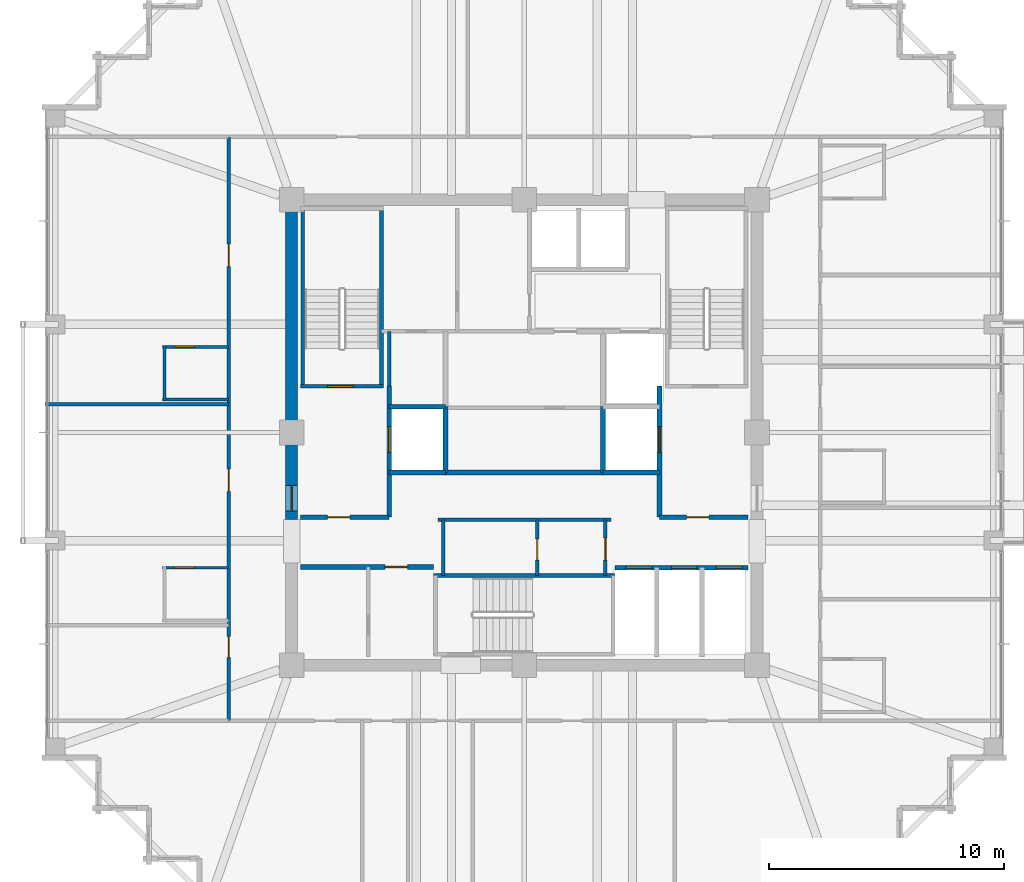
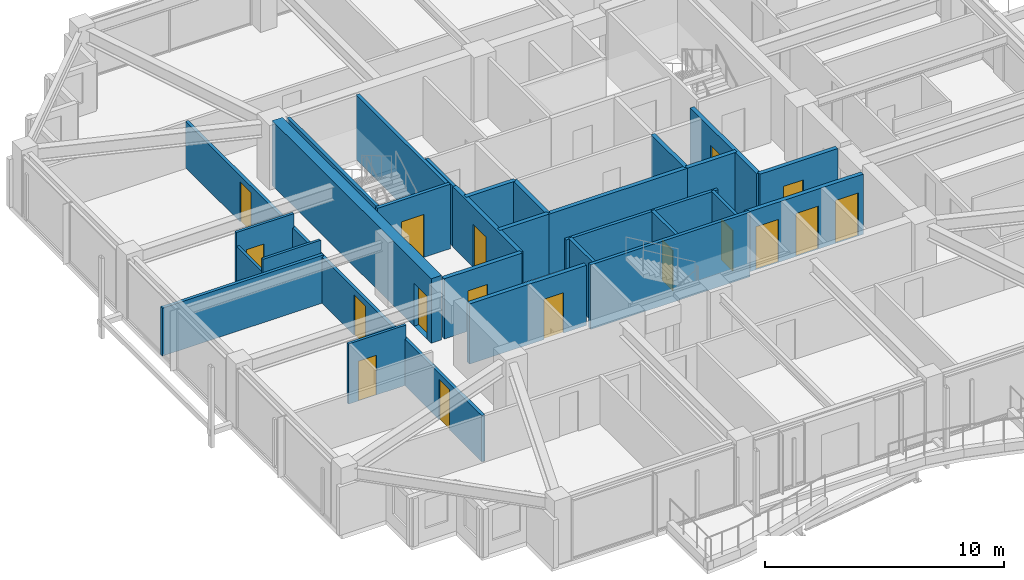
# One storey, part 33 of 38: 28 walls, 17 doors, 17 openings.
"""IFC4 building model written with IfcOpenShell, lengths in metres."""

from ifc_helpers import new_model, si_unit, direction, frame, frame_2d, origin, place, context, subcontext, project, spatial, rectangle, extrude, material, layer, layer_set, type_object, element, fill, save


model = new_model("IFC4")

# Units and contexts
model_context = context("Model", 3, precision=1e-05, world=origin(), true_north=direction((0.0, 1.0)))
body_context = subcontext(model_context, "Body", "Model", "MODEL_VIEW")
ifc_project = project(units=[si_unit("LENGTHUNIT", "METRE"), si_unit("AREAUNIT", "SQUARE_METRE"), si_unit("VOLUMEUNIT", "CUBIC_METRE"), si_unit("PLANEANGLEUNIT", "RADIAN"), si_unit("MASSUNIT", "GRAM", prefix="KILO")], contexts=[model_context])

# Site, building, storey
site_placement = place(None, origin())
site = spatial("IfcSite", under=ifc_project, at=site_placement, CompositionType="ELEMENT")
building_placement = place(site_placement, origin())
building = spatial("IfcBuilding", under=site, at=building_placement, Name="Kolvaren Belvedere", CompositionType="ELEMENT")
storey_placement = place(building_placement, frame((0.0, 0.0, 206.39990234375)))
storey = spatial("IfcBuildingStorey", under=building, at=storey_placement, Name="L60", CompositionType="ELEMENT", Elevation=206.39990234375)

# Wall, opening, door
ifc_material_1 = material(Name="Concrete C50/60", Category="concrete")
ifc_layer_1 = layer(ifc_material_1, 0.5)
ifc_layer_set_1 = layer_set([ifc_layer_1], Name="Concrete C50/60")
wall_type_1 = type_object("IfcWallType", Name="CW-CORE-500", PredefinedType="SHEAR", material=ifc_layer_set_1)
wall_1_placement = place(storey_placement, frame((-9.89990234375, -3.699951171875, 0.0), z_axis=(0.0, 0.0, 1.0), x_axis=(0.0, 1.0, 0.0)))
wall_1 = element("IfcWall", 1, at=wall_1_placement, inside=storey, type_object=wall_type_1, Name="L60 West Core Shear Wall 2", PredefinedType="SHEAR", context=body_context, shape_type="SweptSolid", body=[
    extrude(rectangle(XDim=13.349853515625, YDim=0.5, at=frame_2d((6.6748046875, 0.0))), origin(), (0.0, 0.0, 1.0), 3.300048828125),
])
opening_1_placement = place(wall_1_placement, frame((0.35009765625, 0.0, 0.0)))
opening_1 = element("IfcOpeningElement", 2, at=opening_1_placement, cuts=wall_1, Name="Opening D-FD90", PredefinedType="OPENING", context=body_context, shape_type="SweptSolid", body=[
    extrude(rectangle(XDim=1.10009765625, YDim=2.199951171875, at=frame_2d((0.550048828125, 1.10009765625))), frame((0.0, 0.260009765625, 0.0), z_axis=(0.0, -1.0, 0.0), x_axis=(1.0, 0.0, 0.0)), (0.0, 0.0, 1.0), 0.52001953125),
])
ifc_material_2 = material(Name="Painted hollow stainless steel", Category="steel")
door_type_1 = type_object("IfcDoorType", Name="DR-FD90-1100", OperationType="NOTDEFINED", PredefinedType="DOOR", material=ifc_material_2)
door_1_placement = place(opening_1_placement, origin())
door_1 = element("IfcDoor", 3, at=door_1_placement, inside=storey, type_object=door_type_1, Name="L60 West Firefighting Lobby Fire Door", OperationType="SINGLE_SWING_LEFT", OverallHeight=2.199951171875, OverallWidth=1.10009765625, PredefinedType="DOOR", context=body_context, shape_type="SweptSolid", body=[
    extrude(rectangle(XDim=1.10009765625, YDim=2.199951171875, at=frame_2d((0.550048828125, 1.10009765625))), frame((0.0, 0.02490234375, 0.0), z_axis=(0.0, -1.0, 0.0), x_axis=(1.0, 0.0, 0.0)), (0.0, 0.0, 1.0), 0.050048828125),
])
fill(opening_1, door_1)

ifc_material_3 = material(Name="Concrete C50/60", Category="concrete")
ifc_layer_2 = layer(ifc_material_3, 0.159912109375)
ifc_layer_set_2 = layer_set([ifc_layer_2], Name="Concrete C50/60")
wall_type_2 = type_object("IfcWallType", Name="CW-STAIR-160", PredefinedType="SHEAR", material=ifc_layer_set_2)
wall_2_placement = place(storey_placement, frame((-9.52001953125, 1.969970703125, 0.0), z_axis=(0.0, 0.0, 1.0), x_axis=(1.0, 0.0, 0.0)))
wall_2 = element("IfcWall", 4, at=wall_2_placement, inside=storey, type_object=wall_type_2, Name="L60 Stair ST-1 South Shear Wall", PredefinedType="SHEAR", context=body_context, shape_type="SweptSolid", body=[
    extrude(rectangle(XDim=3.52001953125, YDim=0.159912109375, at=frame_2d((1.760009765625, 0.0))), origin(), (0.0, 0.0, 1.0), 3.300048828125),
])
opening_2_placement = place(wall_2_placement, frame((1.14990234375, 0.0, 0.0)))
opening_2 = element("IfcOpeningElement", 5, at=opening_2_placement, cuts=wall_2, Name="Opening D-FD90", PredefinedType="OPENING", context=body_context, shape_type="SweptSolid", body=[
    extrude(rectangle(XDim=1.10009765625, YDim=2.199951171875, at=frame_2d((0.550048828125, 1.10009765625))), frame((0.0, 0.08984375, 0.0), z_axis=(0.0, -1.0, 0.0), x_axis=(1.0, 0.0, 0.0)), (0.0, 0.0, 1.0), 0.179931640625),
])
door_2_placement = place(opening_2_placement, origin())
door_2 = element("IfcDoor", 6, at=door_2_placement, inside=storey, type_object=door_type_1, Name="L60 Stair ST-1 Fire Door", OperationType="SINGLE_SWING_LEFT", OverallHeight=2.199951171875, OverallWidth=1.10009765625, PredefinedType="DOOR", context=body_context, shape_type="SweptSolid", body=[
    extrude(rectangle(XDim=1.10009765625, YDim=2.199951171875, at=frame_2d((0.550048828125, 1.10009765625))), frame((0.0, 0.02490234375, 0.0), z_axis=(0.0, -1.0, 0.0), x_axis=(1.0, 0.0, 0.0)), (0.0, 0.0, 1.0), 0.050048828125),
])
fill(opening_2, door_2)

# Walls
for number, where, z_axis, x_axis, name in (
    (7, (-9.429931640625, 1.969970703125, 0.0), (0.0, 0.0, 1.0), (0.0, 1.0, 0.0), "L60 Stair ST-1 West Shear Wall"),
    (8, (-6.080078125, 1.969970703125, 0.0), (0.0, 0.0, 1.0), (0.0, 1.0, 0.0), "L60 Stair ST-1 East Shear Wall"),
):
    element("IfcWall", number, at=place(storey_placement, frame(where, z_axis=z_axis, x_axis=x_axis)), inside=storey, type_object=wall_type_2, Name=name, PredefinedType="SHEAR", context=body_context, shape_type="SweptSolid", body=[
        extrude(rectangle(XDim=7.56005859375, YDim=0.159912109375, at=frame_2d((3.780029296875, 0.0))), origin(), (0.0, 0.0, 1.0), 3.300048828125),
    ])
wall_3_placement = place(storey_placement, frame((-3.860107421875, -6.080078125, 0.0), z_axis=(0.0, 0.0, 1.0), x_axis=(1.0, 0.0, 0.0)))
element("IfcWall", 9, at=wall_3_placement, inside=storey, type_object=wall_type_2, Name="L60 Stair ST-3 North Shear Wall", PredefinedType="SHEAR", context=body_context, shape_type="SweptSolid", body=[
    extrude(rectangle(XDim=7.72021484375, YDim=0.159912109375, at=frame_2d((3.860107421875, 0.0))), origin(), (0.0, 0.0, 1.0), 3.300048828125),
])

# Wall, openings, doors
ifc_material_4 = material(Name="Gypsum fire-rated partition assembly", Category="gypsum")
ifc_layer_3 = layer(ifc_material_4, 0.14990234375)
ifc_layer_set_3 = layer_set([ifc_layer_3], Name="Gypsum fire-rated partition assembly")
wall_type_3 = type_object("IfcWallType", Name="WL-CORR-150", PredefinedType="PARTITIONING", material=ifc_layer_set_3)
wall_4_placement = place(storey_placement, frame((-12.580078125, -12.260009765625, 0.0), z_axis=(0.0, 0.0, 1.0), x_axis=(0.0, 1.0, 0.0)))
wall_4 = element("IfcWall", 10, at=wall_4_placement, inside=storey, type_object=wall_type_3, Name="L60 West Corridor Wall", PredefinedType="PARTITIONING", context=body_context, shape_type="SweptSolid", body=[
    extrude(rectangle(XDim=24.840087890625, YDim=0.14990234375, at=frame_2d((12.419921875, 0.0))), origin(), (0.0, 0.0, 1.0), 2.369140625),
])
opening_3_placement = place(wall_4_placement, frame((2.685546875, 0.0, 0.0)))
opening_3 = element("IfcOpeningElement", 11, at=opening_3_placement, cuts=wall_4, Name="Opening D-INT90", PredefinedType="OPENING", context=body_context, shape_type="SweptSolid", body=[
    extrude(rectangle(XDim=0.89990234375, YDim=2.06005859375, at=frame_2d((0.449951171875, 1.030029296875))), frame((0.0, 0.0849609375, 0.0), z_axis=(0.0, -1.0, 0.0), x_axis=(1.0, 0.0, 0.0)), (0.0, 0.0, 1.0), 0.169921875),
])
opening_4_placement = place(wall_4_placement, frame((9.7548828125, 0.0, 0.0)))
opening_4 = element("IfcOpeningElement", 12, at=opening_4_placement, cuts=wall_4, Name="Opening D-FD60", PredefinedType="OPENING", context=body_context, shape_type="SweptSolid", body=[
    extrude(rectangle(XDim=0.949951171875, YDim=2.06005859375, at=frame_2d((0.47509765625, 1.030029296875))), frame((0.0, 0.0849609375, 0.0), z_axis=(0.0, -1.0, 0.0), x_axis=(1.0, 0.0, 0.0)), (0.0, 0.0, 1.0), 0.169921875),
])
opening_5_placement = place(wall_4_placement, frame((19.320068359375, 0.0, 0.0)))
opening_5 = element("IfcOpeningElement", 13, at=opening_5_placement, cuts=wall_4, Name="Opening D-FD60", PredefinedType="OPENING", context=body_context, shape_type="SweptSolid", body=[
    extrude(rectangle(XDim=0.949951171875, YDim=2.06005859375, at=frame_2d((0.47509765625, 1.030029296875))), frame((0.0, 0.0849609375, 0.0), z_axis=(0.0, -1.0, 0.0), x_axis=(1.0, 0.0, 0.0)), (0.0, 0.0, 1.0), 0.169921875),
])
ifc_material_5 = material(Name="Acoustic white-oak fire door leaf", Category="timber")
door_type_2 = type_object("IfcDoorType", Name="DR-FD60-950", OperationType="NOTDEFINED", PredefinedType="DOOR", material=ifc_material_5)
door_3_placement = place(opening_4_placement, origin())
door_3 = element("IfcDoor", 14, at=door_3_placement, inside=storey, type_object=door_type_2, Name="L60 King Guest Room 6010 Entry Door", OperationType="SINGLE_SWING_RIGHT", OverallHeight=2.06005859375, OverallWidth=0.949951171875, PredefinedType="DOOR", context=body_context, shape_type="SweptSolid", body=[
    extrude(rectangle(XDim=0.949951171875, YDim=2.06005859375, at=frame_2d((0.47509765625, 1.030029296875))), frame((0.0, 0.02490234375, 0.0), z_axis=(0.0, -1.0, 0.0), x_axis=(1.0, 0.0, 0.0)), (0.0, 0.0, 1.0), 0.050048828125),
])
fill(opening_4, door_3)
door_4_placement = place(opening_5_placement, origin())
door_4 = element("IfcDoor", 15, at=door_4_placement, inside=storey, type_object=door_type_2, Name="L60 King Guest Room 6011 Entry Door", OperationType="SINGLE_SWING_RIGHT", OverallHeight=2.06005859375, OverallWidth=0.949951171875, PredefinedType="DOOR", context=body_context, shape_type="SweptSolid", body=[
    extrude(rectangle(XDim=0.949951171875, YDim=2.06005859375, at=frame_2d((0.47509765625, 1.030029296875))), frame((0.0, 0.02490234375, 0.0), z_axis=(0.0, -1.0, 0.0), x_axis=(1.0, 0.0, 0.0)), (0.0, 0.0, 1.0), 0.050048828125),
])
fill(opening_5, door_4)
ifc_material_6 = material(Name="Stained Pacific white oak", Category="timber")
door_type_3 = type_object("IfcDoorType", Name="DR-INT-900", OperationType="NOTDEFINED", PredefinedType="DOOR", material=ifc_material_6)
door_5_placement = place(opening_3_placement, origin())
door_5 = element("IfcDoor", 16, at=door_5_placement, inside=storey, type_object=door_type_3, Name="L60 Lounge 6009 Door", OperationType="SINGLE_SWING_RIGHT", OverallHeight=2.06005859375, OverallWidth=0.89990234375, PredefinedType="DOOR", context=body_context, shape_type="SweptSolid", body=[
    extrude(rectangle(XDim=0.89990234375, YDim=2.06005859375, at=frame_2d((0.449951171875, 1.030029296875))), frame((0.0, 0.02490234375, 0.0), z_axis=(0.0, -1.0, 0.0), x_axis=(1.0, 0.0, 0.0)), (0.0, 0.0, 1.0), 0.050048828125),
])
fill(opening_3, door_5)

# Wall
ifc_material_7 = material(Name="Gypsum acoustic partition assembly", Category="gypsum")
ifc_layer_4 = layer(ifc_material_7, 0.14990234375)
ifc_layer_set_4 = layer_set([ifc_layer_4], Name="Gypsum acoustic partition assembly")
wall_type_4 = type_object("IfcWallType", Name="WL-PART-150", PredefinedType="PARTITIONING", material=ifc_layer_set_4)
wall_5_placement = place(storey_placement, frame((-3.679931640625, -3.719970703125, 0.0), z_axis=(0.0, 0.0, 1.0), x_axis=(1.0, 0.0, 0.0)))
element("IfcWall", 17, at=wall_5_placement, inside=storey, type_object=wall_type_4, Name="L60 South Core Service North Wall", PredefinedType="PARTITIONING", context=body_context, shape_type="SweptSolid", body=[
    extrude(rectangle(XDim=7.35986328125, YDim=0.14990234375, at=frame_2d((3.679931640625, 0.0))), origin(), (0.0, 0.0, 1.0), 3.080078125),
])

# Wall, opening, door
wall_6_placement = place(storey_placement, frame((3.449951171875, -6.080078125, 0.0), z_axis=(0.0, 0.0, 1.0), x_axis=(0.0, 1.0, 0.0)))
wall_6 = element("IfcWall", 18, at=wall_6_placement, inside=storey, type_object=wall_type_4, Name="L60 South Core Service East Wall", PredefinedType="PARTITIONING", context=body_context, shape_type="SweptSolid", body=[
    extrude(rectangle(XDim=2.360107421875, YDim=0.14990234375, at=frame_2d((1.18017578125, 0.0))), origin(), (0.0, 0.0, 1.0), 3.080078125),
])
opening_6_placement = place(wall_6_placement, frame((0.64990234375, 0.0, 0.0)))
opening_6 = element("IfcOpeningElement", 19, at=opening_6_placement, cuts=wall_6, Name="Opening D-FD60", PredefinedType="OPENING", context=body_context, shape_type="SweptSolid", body=[
    extrude(rectangle(XDim=0.949951171875, YDim=2.06005859375, at=frame_2d((0.47509765625, 1.030029296875))), frame((0.0, 0.0849609375, 0.0), z_axis=(0.0, -1.0, 0.0), x_axis=(1.0, 0.0, 0.0)), (0.0, 0.0, 1.0), 0.169921875),
])
door_6_placement = place(opening_6_placement, origin())
door_6 = element("IfcDoor", 20, at=door_6_placement, inside=storey, type_object=door_type_2, Name="L60 Core Service Room Door", OperationType="SINGLE_SWING_LEFT", OverallHeight=2.06005859375, OverallWidth=0.949951171875, PredefinedType="DOOR", context=body_context, shape_type="SweptSolid", body=[
    extrude(rectangle(XDim=0.949951171875, YDim=2.06005859375, at=frame_2d((0.47509765625, 1.030029296875))), frame((0.0, 0.02490234375, 0.0), z_axis=(0.0, -1.0, 0.0), x_axis=(1.0, 0.0, 0.0)), (0.0, 0.0, 1.0), 0.050048828125),
])
fill(opening_6, door_6)

# Wall
wall_7_placement = place(storey_placement, frame((-3.449951171875, -6.080078125, 0.0), z_axis=(0.0, 0.0, 1.0), x_axis=(0.0, 1.0, 0.0)))
element("IfcWall", 21, at=wall_7_placement, inside=storey, type_object=wall_type_4, Name="L60 South Core Service West Wall", PredefinedType="PARTITIONING", context=body_context, shape_type="SweptSolid", body=[
    extrude(rectangle(XDim=2.360107421875, YDim=0.14990234375, at=frame_2d((1.18017578125, 0.0))), origin(), (0.0, 0.0, 1.0), 3.080078125),
])

# Wall, opening, door
wall_8_placement = place(storey_placement, frame((0.550048828125, -6.080078125, 0.0), z_axis=(0.0, 0.0, 1.0), x_axis=(0.0, 1.0, 0.0)))
wall_8 = element("IfcWall", 22, at=wall_8_placement, inside=storey, type_object=wall_type_4, Name="L60 Core Service Divider", PredefinedType="PARTITIONING", context=body_context, shape_type="SweptSolid", body=[
    extrude(rectangle(XDim=2.360107421875, YDim=0.14990234375, at=frame_2d((1.18017578125, 0.0))), origin(), (0.0, 0.0, 1.0), 3.080078125),
])
opening_7_placement = place(wall_8_placement, frame((0.64990234375, 0.0, 0.0)))
opening_7 = element("IfcOpeningElement", 23, at=opening_7_placement, cuts=wall_8, Name="Opening D-INT90", PredefinedType="OPENING", context=body_context, shape_type="SweptSolid", body=[
    extrude(rectangle(XDim=0.89990234375, YDim=2.06005859375, at=frame_2d((0.449951171875, 1.030029296875))), frame((0.0, 0.0849609375, 0.0), z_axis=(0.0, -1.0, 0.0), x_axis=(1.0, 0.0, 0.0)), (0.0, 0.0, 1.0), 0.169921875),
])
door_7_placement = place(opening_7_placement, origin())
door_7 = element("IfcDoor", 24, at=door_7_placement, inside=storey, type_object=door_type_3, Name="L60 BMS Inner Door", OperationType="SINGLE_SWING_LEFT", OverallHeight=2.06005859375, OverallWidth=0.89990234375, PredefinedType="DOOR", context=body_context, shape_type="SweptSolid", body=[
    extrude(rectangle(XDim=0.89990234375, YDim=2.06005859375, at=frame_2d((0.449951171875, 1.030029296875))), frame((0.0, 0.02490234375, 0.0), z_axis=(0.0, -1.0, 0.0), x_axis=(1.0, 0.0, 0.0)), (0.0, 0.0, 1.0), 0.050048828125),
])
fill(opening_7, door_7)

# Walls
wall_9_placement = place(storey_placement, frame((-5.75, 1.969970703125, 0.0), z_axis=(0.0, 0.0, 1.0), x_axis=(0.0, 1.0, 0.0)))
element("IfcWall", 25, at=wall_9_placement, inside=storey, type_object=wall_type_4, Name="L60 NW Service Room West Wall", PredefinedType="PARTITIONING", context=body_context, shape_type="SweptSolid", body=[
    extrude(rectangle(XDim=2.330078125, YDim=0.14990234375, at=frame_2d((1.1650390625, 0.0))), origin(), (0.0, 0.0, 1.0), 3.080078125),
])
wall_10_placement = place(storey_placement, frame((-20.3798828125, 1.199951171875, 0.0), z_axis=(0.0, 0.0, 1.0), x_axis=(1.0, 0.0, 0.0)))
element("IfcWall", 26, at=wall_10_placement, inside=storey, type_object=wall_type_4, Name="L60 West Suite Demising Wall 2", PredefinedType="PARTITIONING", context=body_context, shape_type="SweptSolid", body=[
    extrude(rectangle(XDim=7.7998046875, YDim=0.14990234375, at=frame_2d((3.89990234375, 0.0))), origin(), (0.0, 0.0, 1.0), 2.453125),
])

# Wall, opening, door
ifc_material_8 = material(Name="Concrete C50/60", Category="concrete")
ifc_layer_5 = layer(ifc_material_8, 0.199951171875)
ifc_layer_set_5 = layer_set([ifc_layer_5], Name="Concrete C50/60")
wall_type_5 = type_object("IfcWallType", Name="WL-SHAFT-200", PredefinedType="SOLIDWALL", material=ifc_layer_set_5)
wall_11_placement = place(storey_placement, frame((-9.52001953125, -3.60009765625, 0.0), z_axis=(0.0, 0.0, 1.0), x_axis=(1.0, 0.0, 0.0)))
wall_11 = element("IfcWall", 27, at=wall_11_placement, inside=storey, type_object=wall_type_5, Name="L60 West FSAE Lobby South Wall", PredefinedType="SOLIDWALL", context=body_context, shape_type="SweptSolid", body=[
    extrude(rectangle(XDim=3.77001953125, YDim=0.199951171875, at=frame_2d((1.885009765625, 0.0))), origin(), (0.0, 0.0, 1.0), 3.080078125),
])
opening_8_placement = place(wall_11_placement, frame((1.14990234375, 0.0, 0.0)))
opening_8 = element("IfcOpeningElement", 28, at=opening_8_placement, cuts=wall_11, Name="Opening D-FD60", PredefinedType="OPENING", context=body_context, shape_type="SweptSolid", body=[
    extrude(rectangle(XDim=0.949951171875, YDim=2.06005859375, at=frame_2d((0.47509765625, 1.030029296875))), frame((0.0, 0.10986328125, 0.0), z_axis=(0.0, -1.0, 0.0), x_axis=(1.0, 0.0, 0.0)), (0.0, 0.0, 1.0), 0.219970703125),
])
door_8_placement = place(opening_8_placement, origin())
door_8 = element("IfcDoor", 29, at=door_8_placement, inside=storey, type_object=door_type_2, Name="L60 SW Lobby Fire Door", OperationType="SINGLE_SWING_LEFT", OverallHeight=2.06005859375, OverallWidth=0.949951171875, PredefinedType="DOOR", context=body_context, shape_type="SweptSolid", body=[
    extrude(rectangle(XDim=0.949951171875, YDim=2.06005859375, at=frame_2d((0.47509765625, 1.030029296875))), frame((0.0, 0.02490234375, 0.0), z_axis=(0.0, -1.0, 0.0), x_axis=(1.0, 0.0, 0.0)), (0.0, 0.0, 1.0), 0.050048828125),
])
fill(opening_8, door_8)

wall_12_placement = place(storey_placement, frame((-5.75, -3.60009765625, 0.0), z_axis=(0.0, 0.0, 1.0), x_axis=(0.0, 1.0, 0.0)))
wall_12 = element("IfcWall", 30, at=wall_12_placement, inside=storey, type_object=wall_type_5, Name="L60 FSAE FS1 Landing Wall", PredefinedType="SOLIDWALL", context=body_context, shape_type="SweptSolid", body=[
    extrude(rectangle(XDim=5.570068359375, YDim=0.199951171875, at=frame_2d((2.78515625, 0.0))), origin(), (0.0, 0.0, 1.0), 3.080078125),
])
opening_9_placement = place(wall_12_placement, frame((2.75, 0.0, 0.0)))
opening_9 = element("IfcOpeningElement", 31, at=opening_9_placement, cuts=wall_12, Name="Opening LD-11", PredefinedType="OPENING", context=body_context, shape_type="SweptSolid", body=[
    extrude(rectangle(XDim=1.10009765625, YDim=2.199951171875, at=frame_2d((0.550048828125, 1.10009765625))), frame((0.0, 0.10986328125, 0.0), z_axis=(0.0, -1.0, 0.0), x_axis=(1.0, 0.0, 0.0)), (0.0, 0.0, 1.0), 0.219970703125),
])
ifc_material_9 = material(Name="Brushed stainless steel", Category="steel")
door_type_4 = type_object("IfcDoorType", Name="DR-LIFT-1100", OperationType="DOUBLE_DOOR_SLIDING", PredefinedType="DOOR", material=ifc_material_9)
door_9_placement = place(opening_9_placement, origin())
door_9 = element("IfcDoor", 32, at=door_9_placement, inside=storey, type_object=door_type_4, Name="L60 Firefighting Lift FS1 Landing Door", OperationType="DOUBLE_DOOR_SLIDING", OverallHeight=2.199951171875, OverallWidth=1.10009765625, PredefinedType="DOOR", context=body_context, shape_type="SweptSolid", body=[
    extrude(rectangle(XDim=1.10009765625, YDim=2.199951171875, at=frame_2d((0.550048828125, 1.10009765625))), frame((0.0, 0.02490234375, 0.0), z_axis=(0.0, -1.0, 0.0), x_axis=(1.0, 0.0, 0.0)), (0.0, 0.0, 1.0), 0.050048828125),
])
fill(opening_9, door_9)

# Walls
wall_13_placement = place(storey_placement, frame((-3.35009765625, -1.699951171875, 0.0), z_axis=(0.0, 0.0, 1.0), x_axis=(0.0, 1.0, 0.0)))
element("IfcWall", 33, at=wall_13_placement, inside=storey, type_object=wall_type_5, Name="L60 FSAE FS1 Back Wall", PredefinedType="SOLIDWALL", context=body_context, shape_type="SweptSolid", body=[
    extrude(rectangle(XDim=2.800048828125, YDim=0.199951171875, at=frame_2d((1.39990234375, 0.0))), origin(), (0.0, 0.0, 1.0), 3.080078125),
])
for number, where, z_axis, x_axis, name in (
    (34, (-5.75, -1.699951171875, 0.0), (0.0, 0.0, 1.0), (1.0, 0.0, 0.0), "L60 FSAE FS1 South Wall"),
    (35, (-5.75, 1.10009765625, 0.0), (0.0, 0.0, 1.0), (1.0, 0.0, 0.0), "L60 FSAE FS1 North Wall"),
):
    element("IfcWall", number, at=place(storey_placement, frame(where, z_axis=z_axis, x_axis=x_axis)), inside=storey, type_object=wall_type_5, Name=name, PredefinedType="SOLIDWALL", context=body_context, shape_type="SweptSolid", body=[
        extrude(rectangle(XDim=2.39990234375, YDim=0.199951171875, at=frame_2d((1.199951171875, 0.0))), origin(), (0.0, 0.0, 1.0), 3.080078125),
    ])

# Wall, opening, door
wall_14_placement = place(storey_placement, frame((5.75, -3.60009765625, 0.0), z_axis=(0.0, 0.0, 1.0), x_axis=(1.0, 0.0, 0.0)))
wall_14 = element("IfcWall", 36, at=wall_14_placement, inside=storey, type_object=wall_type_5, Name="L60 East FSAE Lobby South Wall", PredefinedType="SOLIDWALL", context=body_context, shape_type="SweptSolid", body=[
    extrude(rectangle(XDim=3.77001953125, YDim=0.199951171875, at=frame_2d((1.885009765625, 0.0))), origin(), (0.0, 0.0, 1.0), 3.080078125),
])
opening_10_placement = place(wall_14_placement, frame((1.14990234375, 0.0, 0.0)))
opening_10 = element("IfcOpeningElement", 37, at=opening_10_placement, cuts=wall_14, Name="Opening D-FD60", PredefinedType="OPENING", context=body_context, shape_type="SweptSolid", body=[
    extrude(rectangle(XDim=0.949951171875, YDim=2.06005859375, at=frame_2d((0.47509765625, 1.030029296875))), frame((0.0, 0.10986328125, 0.0), z_axis=(0.0, -1.0, 0.0), x_axis=(1.0, 0.0, 0.0)), (0.0, 0.0, 1.0), 0.219970703125),
])
door_10_placement = place(opening_10_placement, origin())
door_10 = element("IfcDoor", 38, at=door_10_placement, inside=storey, type_object=door_type_2, Name="L60 SE Lift Lobby Fire Door", OperationType="SINGLE_SWING_RIGHT", OverallHeight=2.06005859375, OverallWidth=0.949951171875, PredefinedType="DOOR", context=body_context, shape_type="SweptSolid", body=[
    extrude(rectangle(XDim=0.949951171875, YDim=2.06005859375, at=frame_2d((0.47509765625, 1.030029296875))), frame((0.0, 0.02490234375, 0.0), z_axis=(0.0, -1.0, 0.0), x_axis=(1.0, 0.0, 0.0)), (0.0, 0.0, 1.0), 0.050048828125),
])
fill(opening_10, door_10)

wall_15_placement = place(storey_placement, frame((5.75, -3.60009765625, 0.0), z_axis=(0.0, 0.0, 1.0), x_axis=(0.0, 1.0, 0.0)))
wall_15 = element("IfcWall", 39, at=wall_15_placement, inside=storey, type_object=wall_type_5, Name="L60 FSAE FS2 Landing Wall", PredefinedType="SOLIDWALL", context=body_context, shape_type="SweptSolid", body=[
    extrude(rectangle(XDim=5.570068359375, YDim=0.199951171875, at=frame_2d((2.78515625, 0.0))), origin(), (0.0, 0.0, 1.0), 3.080078125),
])
opening_11_placement = place(wall_15_placement, frame((2.75, 0.0, 0.0)))
opening_11 = element("IfcOpeningElement", 40, at=opening_11_placement, cuts=wall_15, Name="Opening LD-11", PredefinedType="OPENING", context=body_context, shape_type="SweptSolid", body=[
    extrude(rectangle(XDim=1.10009765625, YDim=2.199951171875, at=frame_2d((0.550048828125, 1.10009765625))), frame((0.0, 0.10986328125, 0.0), z_axis=(0.0, -1.0, 0.0), x_axis=(1.0, 0.0, 0.0)), (0.0, 0.0, 1.0), 0.219970703125),
])
door_11_placement = place(opening_11_placement, origin())
door_11 = element("IfcDoor", 41, at=door_11_placement, inside=storey, type_object=door_type_4, Name="L60 Firefighting Lift FS2 Landing Door", OperationType="DOUBLE_DOOR_SLIDING", OverallHeight=2.199951171875, OverallWidth=1.10009765625, PredefinedType="DOOR", context=body_context, shape_type="SweptSolid", body=[
    extrude(rectangle(XDim=1.10009765625, YDim=2.199951171875, at=frame_2d((0.550048828125, 1.10009765625))), frame((0.0, 0.02490234375, 0.0), z_axis=(0.0, -1.0, 0.0), x_axis=(1.0, 0.0, 0.0)), (0.0, 0.0, 1.0), 0.050048828125),
])
fill(opening_11, door_11)

# Walls
wall_16_placement = place(storey_placement, frame((3.35009765625, -1.699951171875, 0.0), z_axis=(0.0, 0.0, 1.0), x_axis=(0.0, 1.0, 0.0)))
element("IfcWall", 42, at=wall_16_placement, inside=storey, type_object=wall_type_5, Name="L60 FSAE FS2 Back Wall", PredefinedType="SOLIDWALL", context=body_context, shape_type="SweptSolid", body=[
    extrude(rectangle(XDim=2.800048828125, YDim=0.199951171875, at=frame_2d((1.39990234375, 0.0))), origin(), (0.0, 0.0, 1.0), 3.080078125),
])
wall_17_placement = place(storey_placement, frame((3.35009765625, -1.699951171875, 0.0), z_axis=(0.0, 0.0, 1.0), x_axis=(1.0, 0.0, 0.0)))
element("IfcWall", 43, at=wall_17_placement, inside=storey, type_object=wall_type_5, Name="L60 FSAE FS2 South Wall", PredefinedType="SOLIDWALL", context=body_context, shape_type="SweptSolid", body=[
    extrude(rectangle(XDim=2.39990234375, YDim=0.199951171875, at=frame_2d((1.199951171875, 0.0))), origin(), (0.0, 0.0, 1.0), 3.080078125),
])

# Wall, opening, door
wall_18_placement = place(storey_placement, frame((-9.52001953125, -5.719970703125, 0.0), z_axis=(0.0, 0.0, 1.0), x_axis=(1.0, 0.0, 0.0)))
wall_18 = element("IfcWall", 44, at=wall_18_placement, inside=storey, type_object=wall_type_5, Name="L60 Reclaimed Mid Room North Wall", PredefinedType="SOLIDWALL", context=body_context, shape_type="SweptSolid", body=[
    extrude(rectangle(XDim=5.659912109375, YDim=0.199951171875, at=frame_2d((2.830078125, 0.0))), origin(), (0.0, 0.0, 1.0), 3.080078125),
])
opening_12_placement = place(wall_18_placement, frame((3.60009765625, 0.0, 0.0)))
opening_12 = element("IfcOpeningElement", 45, at=opening_12_placement, cuts=wall_18, Name="Opening D-FD60", PredefinedType="OPENING", context=body_context, shape_type="SweptSolid", body=[
    extrude(rectangle(XDim=0.949951171875, YDim=2.06005859375, at=frame_2d((0.47509765625, 1.030029296875))), frame((0.0, 0.10986328125, 0.0), z_axis=(0.0, -1.0, 0.0), x_axis=(1.0, 0.0, 0.0)), (0.0, 0.0, 1.0), 0.219970703125),
])
door_12_placement = place(opening_12_placement, origin())
door_12 = element("IfcDoor", 46, at=door_12_placement, inside=storey, type_object=door_type_2, Name="L60 Study Entry Door", OperationType="SINGLE_SWING_LEFT", OverallHeight=2.06005859375, OverallWidth=0.949951171875, PredefinedType="DOOR", context=body_context, shape_type="SweptSolid", body=[
    extrude(rectangle(XDim=0.949951171875, YDim=2.06005859375, at=frame_2d((0.47509765625, 1.030029296875))), frame((0.0, 0.02490234375, 0.0), z_axis=(0.0, -1.0, 0.0), x_axis=(1.0, 0.0, 0.0)), (0.0, 0.0, 1.0), 0.050048828125),
])
fill(opening_12, door_12)

# Wall, openings, doors
wall_19_placement = place(storey_placement, frame((3.860107421875, -5.75, 0.0), z_axis=(0.0, 0.0, 1.0), x_axis=(1.0, 0.0, 0.0)))
wall_19 = element("IfcWall", 47, at=wall_19_placement, inside=storey, type_object=wall_type_5, Name="L60 High-Rise Lift Bank Front Wall", PredefinedType="SOLIDWALL", context=body_context, shape_type="SweptSolid", body=[
    extrude(rectangle(XDim=5.659912109375, YDim=0.199951171875, at=frame_2d((2.830078125, 0.0))), origin(), (0.0, 0.0, 1.0), 3.080078125),
])
opening_13_placement = place(wall_19_placement, frame((0.4599609375, 0.0, 0.0)))
opening_13 = element("IfcOpeningElement", 48, at=opening_13_placement, cuts=wall_19, Name="Opening LD-11", PredefinedType="OPENING", context=body_context, shape_type="SweptSolid", body=[
    extrude(rectangle(XDim=1.10009765625, YDim=2.199951171875, at=frame_2d((0.550048828125, 1.10009765625))), frame((0.0, 0.10986328125, 0.0), z_axis=(0.0, -1.0, 0.0), x_axis=(1.0, 0.0, 0.0)), (0.0, 0.0, 1.0), 0.219970703125),
])
opening_14_placement = place(wall_19_placement, frame((2.389892578125, 0.0, 0.0)))
opening_14 = element("IfcOpeningElement", 49, at=opening_14_placement, cuts=wall_19, Name="Opening LD-11", PredefinedType="OPENING", context=body_context, shape_type="SweptSolid", body=[
    extrude(rectangle(XDim=1.10009765625, YDim=2.199951171875, at=frame_2d((0.550048828125, 1.10009765625))), frame((0.0, 0.10986328125, 0.0), z_axis=(0.0, -1.0, 0.0), x_axis=(1.0, 0.0, 0.0)), (0.0, 0.0, 1.0), 0.219970703125),
])
opening_15_placement = place(wall_19_placement, frame((4.320068359375, 0.0, 0.0)))
opening_15 = element("IfcOpeningElement", 50, at=opening_15_placement, cuts=wall_19, Name="Opening LD-11", PredefinedType="OPENING", context=body_context, shape_type="SweptSolid", body=[
    extrude(rectangle(XDim=1.10009765625, YDim=2.199951171875, at=frame_2d((0.550048828125, 1.10009765625))), frame((0.0, 0.10986328125, 0.0), z_axis=(0.0, -1.0, 0.0), x_axis=(1.0, 0.0, 0.0)), (0.0, 0.0, 1.0), 0.219970703125),
])
door_13_placement = place(opening_13_placement, origin())
door_13 = element("IfcDoor", 51, at=door_13_placement, inside=storey, type_object=door_type_4, Name="L60 Passenger Lift P7 Landing Door", OperationType="DOUBLE_DOOR_SLIDING", OverallHeight=2.199951171875, OverallWidth=1.10009765625, PredefinedType="DOOR", context=body_context, shape_type="SweptSolid", body=[
    extrude(rectangle(XDim=1.10009765625, YDim=2.199951171875, at=frame_2d((0.550048828125, 1.10009765625))), frame((0.0, 0.02490234375, 0.0), z_axis=(0.0, -1.0, 0.0), x_axis=(1.0, 0.0, 0.0)), (0.0, 0.0, 1.0), 0.050048828125),
])
fill(opening_13, door_13)
door_14_placement = place(opening_14_placement, origin())
door_14 = element("IfcDoor", 52, at=door_14_placement, inside=storey, type_object=door_type_4, Name="L60 Passenger Lift P8 Landing Door", OperationType="DOUBLE_DOOR_SLIDING", OverallHeight=2.199951171875, OverallWidth=1.10009765625, PredefinedType="DOOR", context=body_context, shape_type="SweptSolid", body=[
    extrude(rectangle(XDim=1.10009765625, YDim=2.199951171875, at=frame_2d((0.550048828125, 1.10009765625))), frame((0.0, 0.02490234375, 0.0), z_axis=(0.0, -1.0, 0.0), x_axis=(1.0, 0.0, 0.0)), (0.0, 0.0, 1.0), 0.050048828125),
])
fill(opening_14, door_14)
door_15_placement = place(opening_15_placement, origin())
door_15 = element("IfcDoor", 53, at=door_15_placement, inside=storey, type_object=door_type_4, Name="L60 Passenger Lift P9 Landing Door", OperationType="DOUBLE_DOOR_SLIDING", OverallHeight=2.199951171875, OverallWidth=1.10009765625, PredefinedType="DOOR", context=body_context, shape_type="SweptSolid", body=[
    extrude(rectangle(XDim=1.10009765625, YDim=2.199951171875, at=frame_2d((0.550048828125, 1.10009765625))), frame((0.0, 0.02490234375, 0.0), z_axis=(0.0, -1.0, 0.0), x_axis=(1.0, 0.0, 0.0)), (0.0, 0.0, 1.0), 0.050048828125),
])
fill(opening_15, door_15)

# Wall
wall_20_placement = place(storey_placement, frame((-3.35009765625, -1.699951171875, 0.0), z_axis=(0.0, 0.0, 1.0), x_axis=(1.0, 0.0, 0.0)))
element("IfcWall", 54, at=wall_20_placement, inside=storey, type_object=wall_type_5, Name="L60 Central Core Room South Wall", PredefinedType="SOLIDWALL", context=body_context, shape_type="SweptSolid", body=[
    extrude(rectangle(XDim=6.7001953125, YDim=0.199951171875, at=frame_2d((3.35009765625, 0.0))), origin(), (0.0, 0.0, 1.0), 3.080078125),
])

# Wall, opening, door
ifc_material_10 = material(Name="Moisture-resistant gypsum partition", Category="gypsum")
ifc_layer_6 = layer(ifc_material_10, 0.125)
ifc_layer_set_6 = layer_set([ifc_layer_6], Name="Moisture-resistant gypsum partition")
wall_type_6 = type_object("IfcWallType", Name="WL-WET-125", PredefinedType="PARTITIONING", material=ifc_layer_set_6)
wall_21_placement = place(storey_placement, frame((-15.385009765625, -5.7548828125, 0.0), z_axis=(0.0, 0.0, 1.0), x_axis=(1.0, 0.0, 0.0)))
wall_21 = element("IfcWall", 55, at=wall_21_placement, inside=storey, type_object=wall_type_6, Name="L60 Bathroom Partition PW-L60-BTH-10-N", PredefinedType="PARTITIONING", context=body_context, shape_type="SweptSolid", body=[
    extrude(rectangle(XDim=2.7900390625, YDim=0.125, at=frame_2d((1.39501953125, 0.0))), origin(), (0.0, 0.0, 1.0), 3.080078125),
])
opening_16_placement = place(wall_21_placement, frame((0.5, 0.0, 0.0)))
opening_16 = element("IfcOpeningElement", 56, at=opening_16_placement, cuts=wall_21, Name="Opening D-BTH85", PredefinedType="OPENING", context=body_context, shape_type="SweptSolid", body=[
    extrude(rectangle(XDim=0.85009765625, YDim=2.030029296875, at=frame_2d((0.425048828125, 1.01513671875))), frame((0.0, 0.072509765625, 0.0), z_axis=(0.0, -1.0, 0.0), x_axis=(1.0, 0.0, 0.0)), (0.0, 0.0, 1.0), 0.14501953125),
])
ifc_material_11 = material(Name="Moisture-sealed Pacific white oak", Category="timber")
door_type_5 = type_object("IfcDoorType", Name="DR-BATH-850", OperationType="NOTDEFINED", PredefinedType="DOOR", material=ifc_material_11)
door_16_placement = place(opening_16_placement, origin())
door_16 = element("IfcDoor", 57, at=door_16_placement, inside=storey, type_object=door_type_5, Name="L60 En-Suite Bathroom 6010 Door", OperationType="SINGLE_SWING_LEFT", OverallHeight=2.030029296875, OverallWidth=0.85009765625, PredefinedType="DOOR", context=body_context, shape_type="SweptSolid", body=[
    extrude(rectangle(XDim=0.85009765625, YDim=2.030029296875, at=frame_2d((0.425048828125, 1.01513671875))), frame((0.0, 0.02490234375, 0.0), z_axis=(0.0, -1.0, 0.0), x_axis=(1.0, 0.0, 0.0)), (0.0, 0.0, 1.0), 0.050048828125),
])
fill(opening_16, door_16)

wall_22_placement = place(storey_placement, frame((-15.385009765625, 3.64501953125, 0.0), z_axis=(0.0, 0.0, 1.0), x_axis=(1.0, 0.0, 0.0)))
wall_22 = element("IfcWall", 58, at=wall_22_placement, inside=storey, type_object=wall_type_6, Name="L60 Bathroom Partition PW-L60-BTH-11-N", PredefinedType="PARTITIONING", context=body_context, shape_type="SweptSolid", body=[
    extrude(rectangle(XDim=2.7900390625, YDim=0.125, at=frame_2d((1.39501953125, 0.0))), origin(), (0.0, 0.0, 1.0), 3.080078125),
])
opening_17_placement = place(wall_22_placement, frame((0.5, 0.0, 0.0)))
opening_17 = element("IfcOpeningElement", 59, at=opening_17_placement, cuts=wall_22, Name="Opening D-BTH85", PredefinedType="OPENING", context=body_context, shape_type="SweptSolid", body=[
    extrude(rectangle(XDim=0.85009765625, YDim=2.030029296875, at=frame_2d((0.425048828125, 1.01513671875))), frame((0.0, 0.072509765625, 0.0), z_axis=(0.0, -1.0, 0.0), x_axis=(1.0, 0.0, 0.0)), (0.0, 0.0, 1.0), 0.14501953125),
])
door_17_placement = place(opening_17_placement, origin())
door_17 = element("IfcDoor", 60, at=door_17_placement, inside=storey, type_object=door_type_5, Name="L60 En-Suite Bathroom 6011 Door", OperationType="SINGLE_SWING_LEFT", OverallHeight=2.030029296875, OverallWidth=0.85009765625, PredefinedType="DOOR", context=body_context, shape_type="SweptSolid", body=[
    extrude(rectangle(XDim=0.85009765625, YDim=2.030029296875, at=frame_2d((0.425048828125, 1.01513671875))), frame((0.0, 0.02490234375, 0.0), z_axis=(0.0, -1.0, 0.0), x_axis=(1.0, 0.0, 0.0)), (0.0, 0.0, 1.0), 0.050048828125),
])
fill(opening_17, door_17)

# Walls
wall_23_placement = place(storey_placement, frame((-15.304931640625, 1.3349609375, 0.0), z_axis=(0.0, 0.0, 1.0), x_axis=(0.0, 1.0, 0.0)))
element("IfcWall", 61, at=wall_23_placement, inside=storey, type_object=wall_type_6, Name="L60 Bathroom Partition PW-L60-BTH-11-V", PredefinedType="PARTITIONING", context=body_context, shape_type="SweptSolid", body=[
    extrude(rectangle(XDim=2.3701171875, YDim=0.125, at=frame_2d((1.18505859375, 0.0))), origin(), (0.0, 0.0, 1.0), 2.369140625),
])
wall_24_placement = place(storey_placement, frame((-15.385009765625, 1.39501953125, 0.0), z_axis=(0.0, 0.0, 1.0), x_axis=(1.0, 0.0, 0.0)))
element("IfcWall", 62, at=wall_24_placement, inside=storey, type_object=wall_type_6, Name="L60 Bathroom Partition PW-L60-BTH-11-S", PredefinedType="PARTITIONING", context=body_context, shape_type="SweptSolid", body=[
    extrude(rectangle(XDim=2.7900390625, YDim=0.125, at=frame_2d((1.39501953125, 0.0))), origin(), (0.0, 0.0, 1.0), 3.080078125),
])

save(model, "model.ifc")
